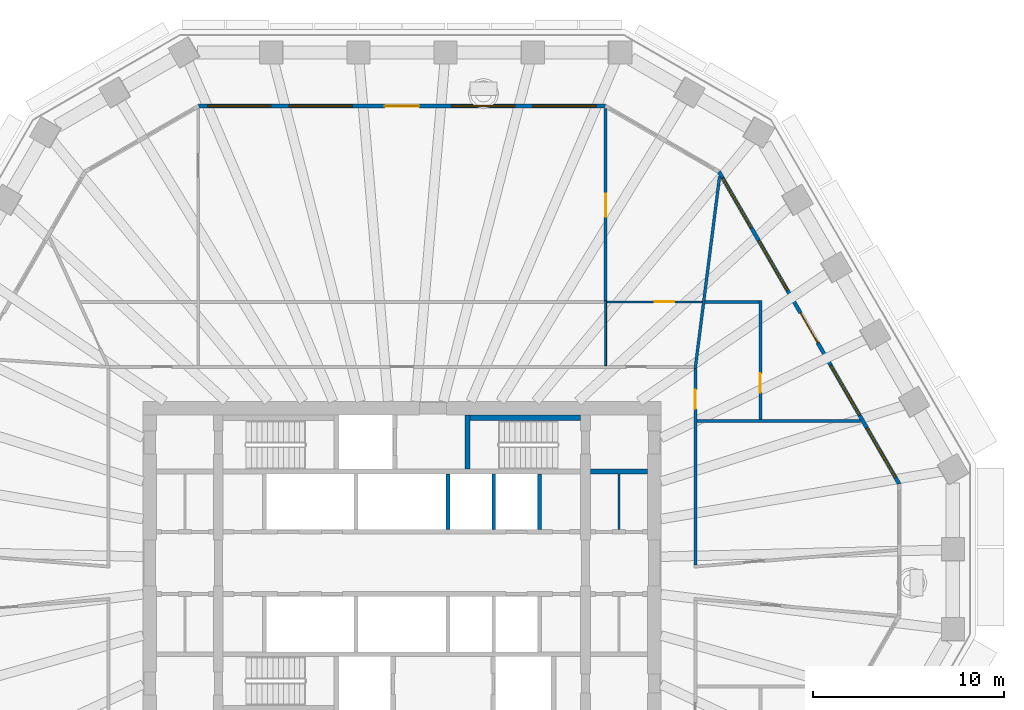
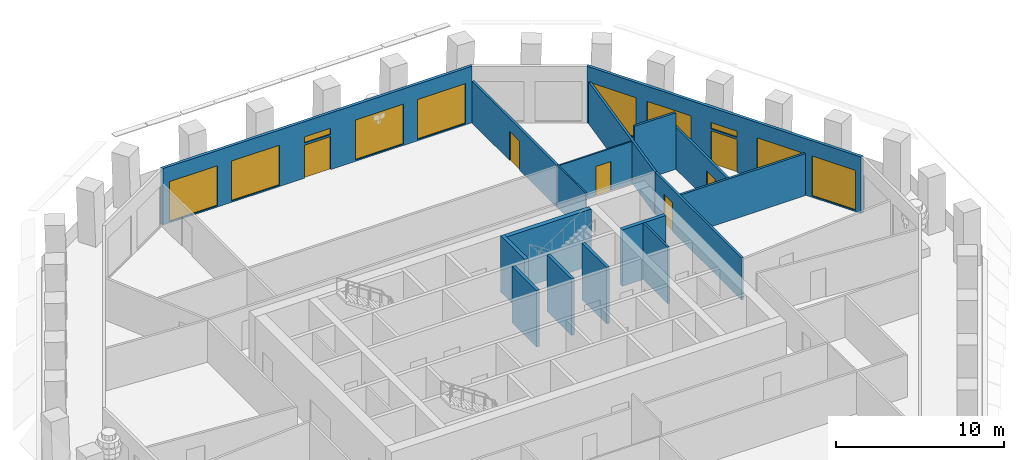
# One storey, part 8 of 13: 17 walls, 10 windows, 6 doors, 16 openings.
"""IFC4 building model written with IfcOpenShell, lengths in metres."""

import ifcopenshell
import ifcopenshell.guid

model = None  # the IFC model being written
_history = None  # IfcOwnerHistory: only IFC2X3 demands one
_inside = {}  # id of a spatial element -> (the spatial element, [elements in it])
_under = {}  # id of a project, library or spatial element -> (it, [spatial elements below it])
_declared = {}  # id of a project -> (the project, [libraries it declares])
_typed = {}  # id of a type object -> (the type object, [elements of that type])
_made_of = {}  # id of a material, layer set ... -> (it, [elements and type objects made of it])


def new_model(schema):
    """Start an empty IFC model of exactly this schema.

    Asked for "IFC4X3", IfcOpenShell would pick the latest addendum, in which some entities
    have other attributes; the version numbers below select the first issue.
    IFC2X3 requires an IfcOwnerHistory on every rooted entity: one is made here for all.
    """
    global model, _history
    if schema == "IFC4X3":
        model = ifcopenshell.file(schema_version=(4, 3, 0, 0))
    else:
        model = ifcopenshell.file(schema=schema)
    _inside.clear()
    _under.clear()
    _declared.clear()
    _typed.clear()
    _made_of.clear()
    _history = None
    if model.schema == "IFC2X3":
        org = make("IfcOrganization", Name="unknown")
        user = make(
            "IfcPersonAndOrganization",
            ThePerson=make("IfcPerson", FamilyName="unknown"),
            TheOrganization=org,
        )
        app = make(
            "IfcApplication",
            ApplicationDeveloper=org,
            Version="unknown",
            ApplicationFullName="unknown",
            ApplicationIdentifier="unknown",
        )
        _history = make(
            "IfcOwnerHistory",
            OwningUser=user,
            OwningApplication=app,
            ChangeAction="ADDED",
            CreationDate=0,
        )
    return model


def make(cls, **values):
    """One entity of the class cls with the attributes given. An attribute that is None is left unset."""
    return model.create_entity(
        cls, **{name: value for name, value in values.items() if value is not None}
    )


def rooted(cls, **values):
    """An entity with a GlobalId (a new one), such as an element, a storey or a relation."""
    return make(cls, GlobalId=ifcopenshell.guid.new(), OwnerHistory=_history, **values)


def si_unit(unit_type, name, prefix=None):
    """IfcSIUnit, for example si_unit("LENGTHUNIT", "METRE", prefix="MILLI")."""
    return make("IfcSIUnit", UnitType=unit_type, Prefix=prefix, Name=name)


def assignment(units):
    """IfcUnitAssignment: the units of a project."""
    return None if units is None else make("IfcUnitAssignment", Units=units)


def point(xyz):
    """IfcCartesianPoint."""
    return None if xyz is None else make("IfcCartesianPoint", Coordinates=xyz)


def direction(xyz):
    """IfcDirection."""
    return None if xyz is None else make("IfcDirection", DirectionRatios=xyz)


def frame(location, z_axis=None, x_axis=None):
    """IfcAxis2Placement3D, a coordinate frame: its origin and axes. An axis left out is left unset."""
    return make(
        "IfcAxis2Placement3D",
        Location=point(location),
        Axis=direction(z_axis),
        RefDirection=direction(x_axis),
    )


def frame_2d(location, x_axis=None):
    """IfcAxis2Placement2D, a coordinate frame in the plane: its origin and x axis."""
    return make(
        "IfcAxis2Placement2D", Location=point(location), RefDirection=direction(x_axis)
    )


def origin():
    """The frame at (0, 0, 0) with its axes left unset."""
    return frame((0.0, 0.0, 0.0))


def place(relative_to, where):
    """IfcLocalPlacement: puts the frame where relative to a parent placement (None: the world)."""
    return make(
        "IfcLocalPlacement", PlacementRelTo=relative_to, RelativePlacement=where
    )


def context(
    kind, dimensions, precision=None, world=None, true_north=None, identifier=None
):
    """IfcGeometricRepresentationContext, for example the 3D "Model" context."""
    return make(
        "IfcGeometricRepresentationContext",
        ContextIdentifier=identifier,
        ContextType=kind,
        CoordinateSpaceDimension=dimensions,
        Precision=precision,
        WorldCoordinateSystem=world,
        TrueNorth=true_north,
    )


def subcontext(parent, identifier, kind, view, scale=None):
    """IfcGeometricRepresentationSubContext, for example "Body" below "Model"."""
    return make(
        "IfcGeometricRepresentationSubContext",
        ContextIdentifier=identifier,
        ContextType=kind,
        ParentContext=parent,
        TargetScale=scale,
        TargetView=view,
    )


def project(units=None, contexts=None):
    """IfcProject with its units and contexts."""
    return rooted(
        "IfcProject",
        Name="project",
        RepresentationContexts=contexts,
        UnitsInContext=assignment(units),
    )


def spatial(cls, under=None, at=None, **own):
    """A site, building, storey or space (cls), placed at a placement, below another one or the project."""
    s = rooted(cls, ObjectPlacement=at, **own)
    if under is not None:
        _under.setdefault(under.id(), (under, []))[1].append(s)
    return s


def polyline(points):
    """IfcPolyline through the points."""
    return make("IfcPolyline", Points=[point(p) for p in points])


def profile(cls, at=None, kind="AREA", **sizes):
    """A parametric profile (cls). Its sizes go by their IFC names, for example OverallWidth=200.0."""
    return make(cls, ProfileType=kind, Position=at, **sizes)


def rectangle(**sizes):
    """IfcRectangleProfileDef."""
    return profile("IfcRectangleProfileDef", **sizes)


def outline(outer, holes=None, kind="AREA"):
    """IfcArbitraryClosedProfileDef: a profile drawn as a closed curve; with holes, ...WithVoids."""
    if holes is None:
        return make("IfcArbitraryClosedProfileDef", ProfileType=kind, OuterCurve=outer)
    return make(
        "IfcArbitraryProfileDefWithVoids",
        ProfileType=kind,
        OuterCurve=outer,
        InnerCurves=holes,
    )


def extrude(swept, where, along, depth):
    """IfcExtrudedAreaSolid: the profile swept, set in the frame where, extruded along a direction by depth."""
    return make(
        "IfcExtrudedAreaSolid",
        SweptArea=swept,
        Position=where,
        ExtrudedDirection=direction(along),
        Depth=depth,
    )


def shape(context_of_items, identifier, shape_type, items):
    """IfcShapeRepresentation: the items that make up one representation, for example the "Body"."""
    return make(
        "IfcShapeRepresentation",
        ContextOfItems=context_of_items,
        RepresentationIdentifier=identifier,
        RepresentationType=shape_type,
        Items=items,
    )


def material(Name=None, Category=None):
    """IfcMaterial."""
    return make("IfcMaterial", Name=Name, Category=Category)


def layer(
    of_material, thickness, ventilated=None, Name=None, Category=None, Priority=None
):
    """IfcMaterialLayer: one layer of a wall or slab, of a material (None: an air gap)."""
    return make(
        "IfcMaterialLayer",
        Material=of_material,
        LayerThickness=thickness,
        IsVentilated=ventilated,
        Name=Name,
        Category=Category,
        Priority=Priority,
    )


def layer_set(layers, Name=None):
    """IfcMaterialLayerSet."""
    return make("IfcMaterialLayerSet", MaterialLayers=layers, LayerSetName=Name)


def made_of(thing, what):
    """Note that an element or type object is made of a material, layer set ...; save() writes the relation."""
    if what is not None:
        _made_of.setdefault(what.id(), (what, []))[1].append(thing)
    return thing


def type_object(cls, material=None, **own):
    """A type object (cls), such as IfcWallType, which elements share."""
    return made_of(rooted(cls, **own), material)


def element(
    cls,
    number,
    at=None,
    inside=None,
    cuts=None,
    type_object=None,
    material=None,
    context=None,
    identifier="Body",
    shape_type=None,
    held_by="IfcProductDefinitionShape",
    body=None,
    shapes=None,
    **own,
):
    """One element of the class cls, such as IfcWall. Its Tag is "e" and its number.

    at: its placement. inside: the storey or other place that contains it. cuts: it is an
    opening in that element (IfcRelVoidsElement). A single representation is given by context,
    identifier, shape_type and body (its items); several are given by shapes. held_by: the class
    of the entity that holds the representations. save() writes the other relations.
    """
    e = rooted(cls, Tag="e%d" % number, ObjectPlacement=at, **own)
    if body is not None:
        shapes = [shape(context, identifier, shape_type, body)]
    if shapes is not None:
        e.Representation = make(held_by, Representations=shapes)
    if inside is not None:
        _inside.setdefault(inside.id(), (inside, []))[1].append(e)
    if cuts is not None:
        rooted(
            "IfcRelVoidsElement", RelatingBuildingElement=cuts, RelatedOpeningElement=e
        )
    if type_object is not None:
        _typed.setdefault(type_object.id(), (type_object, []))[1].append(e)
    return made_of(e, material)


def fill(opening, filler):
    """IfcRelFillsElement: the door or window that sits in an opening."""
    return rooted(
        "IfcRelFillsElement",
        RelatingOpeningElement=opening,
        RelatedBuildingElement=filler,
    )


def aggregate(whole, parts):
    """IfcRelAggregates: a whole, such as a stair, and the parts it consists of."""
    return rooted("IfcRelAggregates", RelatingObject=whole, RelatedObjects=parts)


def save(model, path):
    """Write the relations noted so far, then the file.

    IfcRelAggregates (storeys below a building ...), IfcRelContainedInSpatialStructure (elements
    in a storey), IfcRelDefinesByType, IfcRelAssociatesMaterial and IfcRelDeclares: one each for
    every whole, place, type object, material and project.
    """
    for whole, parts in _under.values():
        aggregate(whole, parts)
    for where, things in _inside.values():
        rooted(
            "IfcRelContainedInSpatialStructure",
            RelatedElements=things,
            RelatingStructure=where,
        )
    for kind, things in _typed.values():
        rooted("IfcRelDefinesByType", RelatedObjects=things, RelatingType=kind)
    for what, things in _made_of.values():
        rooted("IfcRelAssociatesMaterial", RelatedObjects=things, RelatingMaterial=what)
    for by, libraries in _declared.values():
        rooted("IfcRelDeclares", RelatingContext=by, RelatedDefinitions=libraries)
    model.write(path)


model = new_model("IFC4")

# Units and contexts
model_context = context("Model", 3, precision=1e-05, world=origin(), true_north=direction((0.0, 1.0)))
body_context = subcontext(model_context, "Body", "Model", "MODEL_VIEW")
ifc_project = project(units=[si_unit("LENGTHUNIT", "METRE"), si_unit("AREAUNIT", "SQUARE_METRE"), si_unit("VOLUMEUNIT", "CUBIC_METRE"), si_unit("PLANEANGLEUNIT", "RADIAN"), si_unit("MASSUNIT", "GRAM", prefix="KILO")], contexts=[model_context])

# Site, building, storey
site_placement = place(None, origin())
site = spatial("IfcSite", under=ifc_project, at=site_placement, CompositionType="ELEMENT")
building_placement = place(site_placement, origin())
building = spatial("IfcBuilding", under=site, at=building_placement, Name="Frailejon Research Tower", CompositionType="ELEMENT")
storey_placement = place(building_placement, frame((0.0, 0.0, 167.199951171875)))
storey = spatial("IfcBuildingStorey", under=building, at=storey_placement, Name="L36", CompositionType="ELEMENT", Elevation=167.199951171875)

# Wall
ifc_material_1 = material(Name="Plasterboard on steel studs", Category="steel")
ifc_layer_1 = layer(ifc_material_1, 0.125)
ifc_layer_set_1 = layer_set([ifc_layer_1], Name="Core partition 125")
wall_type_1 = type_object("IfcWallType", Name="Core partition 125", PredefinedType="PARTITIONING", material=ifc_layer_set_1)
wall_1_placement = place(storey_placement, frame((11.35009765625, 1.75, 0.0), z_axis=(0.0, 0.0, 1.0), x_axis=(0.0, 1.0, 0.0)))
element("IfcWall", 1, at=wall_1_placement, inside=storey, type_object=wall_type_1, Name="Core partition", PredefinedType="PARTITIONING", context=body_context, shape_type="SweptSolid", body=[
    extrude(rectangle(XDim=2.89990234375, YDim=0.125, at=frame_2d((1.449951171875, 0.0))), origin(), (0.0, 0.0, 1.0), 4.10009765625),
])

# Wall, opening, door
ifc_material_2 = material(Name="Gypsum board and masonry partition", Category="masonry")
ifc_layer_2 = layer(ifc_material_2, 0.14990234375)
ifc_layer_set_2 = layer_set([ifc_layer_2], Name="Corridor wall EI 60, gypsum on steel studs 150")
wall_type_2 = type_object("IfcWallType", Name="Corridor wall EI 60, gypsum on steel studs 150", PredefinedType="PARTITIONING", material=ifc_layer_set_2)
wall_2_placement = place(storey_placement, frame((15.35009765625, -0.11572265625, 0.0), z_axis=(0.0, 0.0, 1.0), x_axis=(0.0, 1.0, 0.0)))
wall_2 = element("IfcWall", 2, at=wall_2_placement, inside=storey, type_object=wall_type_2, Name="T:IW:L36:002", PredefinedType="PARTITIONING", context=body_context, shape_type="SweptSolid", body=[
    extrude(rectangle(XDim=10.290771484375, YDim=0.14990234375, at=frame_2d((5.1455078125, 0.0))), origin(), (0.0, 0.0, 1.0), 3.050048828125),
])
opening_1_placement = place(wall_2_placement, frame((8.1767578125, 0.0, 0.0)))
opening_1 = element("IfcOpeningElement", 3, at=opening_1_placement, cuts=wall_2, Name="Opening D1781", PredefinedType="OPENING", context=body_context, shape_type="SweptSolid", body=[
    extrude(rectangle(XDim=1.0, YDim=2.10009765625, at=frame_2d((0.5, 1.050048828125))), frame((0.0, 0.0849609375, 0.0), z_axis=(0.0, -1.0, 0.0), x_axis=(1.0, 0.0, 0.0)), (0.0, 0.0, 1.0), 0.169921875),
])
ifc_material_3 = material(Name="Timber door leaf", Category="wood")
door_type_1 = type_object("IfcDoorType", Name="Door laboratory, timber, vision panel 1000", OperationType="NOTDEFINED", PredefinedType="DOOR", material=ifc_material_3)
door_1_placement = place(opening_1_placement, origin())
door_1 = element("IfcDoor", 4, at=door_1_placement, inside=storey, type_object=door_type_1, Name="D1781", OperationType="SINGLE_SWING_LEFT", OverallHeight=2.10009765625, OverallWidth=1.0, PredefinedType="DOOR", context=body_context, shape_type="SweptSolid", body=[
    extrude(rectangle(XDim=1.0, YDim=2.10009765625, at=frame_2d((0.5, 1.050048828125))), frame((0.0, 0.02490234375, 0.0), z_axis=(0.0, -1.0, 0.0), x_axis=(1.0, 0.0, 0.0)), (0.0, 0.0, 1.0), 0.050048828125),
])
fill(opening_1, door_1)

# Walls
ifc_material_4 = material(Name="Gypsum board and masonry partition", Category="masonry")
ifc_layer_3 = layer(ifc_material_4, 0.14990234375)
ifc_layer_set_3 = layer_set([ifc_layer_3], Name="Laboratory partition, blockwork 150")
wall_type_3 = type_object("IfcWallType", Name="Laboratory partition, blockwork 150", PredefinedType="PARTITIONING", material=ifc_layer_set_3)
wall_3_placement = place(storey_placement, frame((15.425048828125, 7.431640625, 0.0), z_axis=(0.0, 0.0, 1.0), x_axis=(1.0, 0.0, 0.0)))
element("IfcWall", 5, at=wall_3_placement, inside=storey, type_object=wall_type_3, Name="T:IW:L36:011", PredefinedType="PARTITIONING", context=body_context, shape_type="SweptSolid", body=[
    extrude(rectangle(XDim=8.564453125, YDim=0.14990234375, at=frame_2d((4.2822265625, 0.0))), origin(), (0.0, 0.0, 1.0), 3.050048828125),
])
wall_4_placement = place(storey_placement, frame((15.856201171875, 13.64990234375, 0.0), z_axis=(0.0, 0.0, 1.0), x_axis=(1.0, 0.0, 0.0)))
element("IfcWall", 6, at=wall_4_placement, inside=storey, type_object=wall_type_3, Name="T:IW:L36:013", PredefinedType="PARTITIONING", context=body_context, shape_type="SweptSolid", body=[
    extrude(rectangle(XDim=2.81884765625, YDim=0.14990234375, at=frame_2d((1.409423828125, 0.0))), origin(), (0.0, 0.0, 1.0), 4.10009765625),
])

# Wall, opening, door
wall_5_placement = place(storey_placement, frame((18.75, 7.506591796875, 0.0), z_axis=(0.0, 0.0, 1.0), x_axis=(0.0, 1.0, 0.0)))
wall_5 = element("IfcWall", 7, at=wall_5_placement, inside=storey, type_object=wall_type_3, Name="T:IW:L36:015", PredefinedType="PARTITIONING", context=body_context, shape_type="SweptSolid", body=[
    extrude(rectangle(XDim=6.218505859375, YDim=0.14990234375, at=frame_2d((3.109375, 0.0))), origin(), (0.0, 0.0, 1.0), 3.050048828125),
])
opening_2_placement = place(wall_5_placement, frame((1.404541015625, 0.0, 0.0)))
opening_2 = element("IfcOpeningElement", 8, at=opening_2_placement, cuts=wall_5, Name="Opening D1782", PredefinedType="OPENING", context=body_context, shape_type="SweptSolid", body=[
    extrude(rectangle(XDim=1.0, YDim=2.10009765625, at=frame_2d((0.5, 1.050048828125))), frame((0.0, 0.0849609375, 0.0), z_axis=(0.0, -1.0, 0.0), x_axis=(1.0, 0.0, 0.0)), (0.0, 0.0, 1.0), 0.169921875),
])
door_2_placement = place(opening_2_placement, origin())
door_2 = element("IfcDoor", 9, at=door_2_placement, inside=storey, type_object=door_type_1, Name="D1782", OperationType="SINGLE_SWING_RIGHT", OverallHeight=2.10009765625, OverallWidth=1.0, PredefinedType="DOOR", context=body_context, shape_type="SweptSolid", body=[
    extrude(rectangle(XDim=1.0, YDim=2.10009765625, at=frame_2d((0.5, 1.050048828125))), frame((0.0, 0.02490234375, 0.0), z_axis=(0.0, -1.0, 0.0), x_axis=(1.0, 0.0, 0.0)), (0.0, 0.0, 1.0), 0.050048828125),
])
fill(opening_2, door_2)

# Wall
wall_6_placement = place(storey_placement, frame((15.340576171875, 10.175537109375, 0.0), z_axis=(0.0, 0.0, 1.0), x_axis=(0.125826213288, 0.99205229905, 0.0)))
element("IfcWall", 10, at=wall_6_placement, inside=storey, type_object=wall_type_3, Name="T:IW:L36:016", PredefinedType="PARTITIONING", context=body_context, shape_type="SweptSolid", body=[
    extrude(rectangle(XDim=10.11279296875, YDim=0.14990234375, at=frame_2d((5.056396484375, 0.0))), origin(), (0.0, 0.0, 1.0), 3.050048828125),
])

# Wall, opening, door
wall_7_placement = place(storey_placement, frame((10.65478515625, 13.699951171875, 0.0), z_axis=(0.0, 0.0, 1.0), x_axis=(0.0, 1.0, 0.0)))
wall_7 = element("IfcWall", 11, at=wall_7_placement, inside=storey, type_object=wall_type_3, Name="T:IW:L36:017", PredefinedType="PARTITIONING", context=body_context, shape_type="SweptSolid", body=[
    extrude(rectangle(XDim=10.069091796875, YDim=0.14990234375, at=frame_2d((5.03466796875, 0.0))), origin(), (0.0, 0.0, 1.0), 3.050048828125),
])
opening_3_placement = place(wall_7_placement, frame((4.409423828125, 0.0, 0.0)))
opening_3 = element("IfcOpeningElement", 12, at=opening_3_placement, cuts=wall_7, Name="Opening D1785", PredefinedType="OPENING", context=body_context, shape_type="SweptSolid", body=[
    extrude(rectangle(XDim=1.199951171875, YDim=2.10009765625, at=frame_2d((0.60009765625, 1.050048828125))), frame((0.0, 0.0849609375, 0.0), z_axis=(0.0, -1.0, 0.0), x_axis=(1.0, 0.0, 0.0)), (0.0, 0.0, 1.0), 0.169921875),
])
ifc_material_5 = material(Name="Timber door leaf", Category="wood")
door_type_2 = type_object("IfcDoorType", Name="Door laboratory, timber, vision panel 1200", OperationType="NOTDEFINED", PredefinedType="DOOR", material=ifc_material_5)
door_3_placement = place(opening_3_placement, origin())
door_3 = element("IfcDoor", 13, at=door_3_placement, inside=storey, type_object=door_type_2, Name="D1785", OperationType="DOUBLE_DOOR_SINGLE_SWING", OverallHeight=2.10009765625, OverallWidth=1.199951171875, PredefinedType="DOOR", context=body_context, shape_type="SweptSolid", body=[
    extrude(rectangle(XDim=1.199951171875, YDim=2.10009765625, at=frame_2d((0.60009765625, 1.050048828125))), frame((0.0, 0.02490234375, 0.0), z_axis=(0.0, -1.0, 0.0), x_axis=(1.0, 0.0, 0.0)), (0.0, 0.0, 1.0), 0.050048828125),
])
fill(opening_3, door_3)

ifc_material_6 = material(Name="Gypsum board and masonry partition", Category="masonry")
ifc_layer_4 = layer(ifc_material_6, 0.10009765625)
ifc_layer_set_4 = layer_set([ifc_layer_4], Name="Partition, gypsum on steel studs 100")
wall_type_4 = type_object("IfcWallType", Name="Partition, gypsum on steel studs 100", PredefinedType="PARTITIONING", material=ifc_layer_set_4)
wall_8_placement = place(storey_placement, frame((10.70458984375, 13.64990234375, 0.0), z_axis=(0.0, 0.0, 1.0), x_axis=(1.0, 0.0, 0.0)))
wall_8 = element("IfcWall", 14, at=wall_8_placement, inside=storey, type_object=wall_type_4, Name="T:IW:L36:030", PredefinedType="PARTITIONING", context=body_context, shape_type="SweptSolid", body=[
    extrude(rectangle(XDim=5.001708984375, YDim=0.10009765625, at=frame_2d((2.5009765625, 0.0))), origin(), (0.0, 0.0, 1.0), 3.050048828125),
])
opening_4_placement = place(wall_8_placement, frame((2.52734375, 0.0, 0.0)))
opening_4 = element("IfcOpeningElement", 15, at=opening_4_placement, cuts=wall_8, Name="Opening D1784", PredefinedType="OPENING", context=body_context, shape_type="SweptSolid", body=[
    extrude(rectangle(XDim=1.0, YDim=2.10009765625, at=frame_2d((0.5, 1.050048828125))), frame((0.0, 0.06005859375, 0.0), z_axis=(0.0, -1.0, 0.0), x_axis=(1.0, 0.0, 0.0)), (0.0, 0.0, 1.0), 0.1201171875),
])
ifc_material_7 = material(Name="Timber door leaf", Category="wood")
door_type_3 = type_object("IfcDoorType", Name="Door single leaf, timber, steel frame 1000", OperationType="NOTDEFINED", PredefinedType="DOOR", material=ifc_material_7)
door_4_placement = place(opening_4_placement, origin())
door_4 = element("IfcDoor", 16, at=door_4_placement, inside=storey, type_object=door_type_3, Name="D1784", OperationType="SINGLE_SWING_LEFT", OverallHeight=2.10009765625, OverallWidth=1.0, PredefinedType="DOOR", context=body_context, shape_type="SweptSolid", body=[
    extrude(rectangle(XDim=1.0, YDim=2.10009765625, at=frame_2d((0.5, 1.050048828125))), frame((0.0, 0.02490234375, 0.0), z_axis=(0.0, -1.0, 0.0), x_axis=(1.0, 0.0, 0.0)), (0.0, 0.0, 1.0), 0.050048828125),
])
fill(opening_4, door_4)

# Walls
wall_9_placement = place(storey_placement, frame((10.65478515625, 10.324951171875, 0.0), z_axis=(0.0, 0.0, 1.0), x_axis=(0.0, 1.0, 0.0)))
element("IfcWall", 17, at=wall_9_placement, inside=storey, type_object=wall_type_4, Name="T:IW:L36:031", PredefinedType="PARTITIONING", context=body_context, shape_type="SweptSolid", body=[
    extrude(rectangle(XDim=3.400146484375, YDim=0.10009765625, at=frame_2d((1.7001953125, 0.0))), origin(), (0.0, 0.0, 1.0), 3.050048828125),
])
ifc_material_8 = material(Name="Concrete C60/75", Category="concrete")
ifc_layer_5 = layer(ifc_material_8, 0.199951171875)
ifc_layer_set_5 = layer_set([ifc_layer_5], Name="Shaft wall 200 C60/75")
wall_type_5 = type_object("IfcWallType", Name="Shaft wall 200 C60/75", PredefinedType="SOLIDWALL", material=ifc_layer_set_5)
for number, where, z_axis, x_axis, name in (
    (18, (2.39990234375, 1.75, 0.0), (0.0, 0.0, 1.0), (0.0, 1.0, 0.0), "Shaft wall"),
    (19, (4.800048828125, 1.75, 0.0), (0.0, 0.0, 1.0), (0.0, 1.0, 0.0), "Shaft wall"),
    (20, (7.199951171875, 1.75, 0.0), (0.0, 0.0, 1.0), (0.0, 1.0, 0.0), "Shaft wall"),
):
    element("IfcWall", number, at=place(storey_placement, frame(where, z_axis=z_axis, x_axis=x_axis)), inside=storey, type_object=wall_type_5, Name=name, PredefinedType="SOLIDWALL", context=body_context, shape_type="SweptSolid", body=[
        extrude(rectangle(XDim=2.89990234375, YDim=0.199951171875, at=frame_2d((1.449951171875, 0.0))), origin(), (0.0, 0.0, 1.0), 4.10009765625),
    ])
ifc_material_9 = material(Name="Concrete C60/75", Category="concrete")
ifc_layer_6 = layer(ifc_material_9, 0.25)
ifc_layer_set_6 = layer_set([ifc_layer_6], Name="Shaft wall 250 C60/75")
wall_type_6 = type_object("IfcWallType", Name="Shaft wall 250 C60/75", PredefinedType="SOLIDWALL", material=ifc_layer_set_6)
wall_10_placement = place(storey_placement, frame((9.85009765625, 4.77490234375, 0.0), z_axis=(0.0, 0.0, 1.0), x_axis=(1.0, 0.0, 0.0)))
element("IfcWall", 21, at=wall_10_placement, inside=storey, type_object=wall_type_6, Name="Shaft wall", PredefinedType="SOLIDWALL", context=body_context, shape_type="SweptSolid", body=[
    extrude(rectangle(XDim=3.0, YDim=0.25, at=frame_2d((1.5, 0.0))), origin(), (0.0, 0.0, 1.0), 4.10009765625),
])
wall_11_placement = place(storey_placement, frame((3.425048828125, 4.89990234375, 0.0), z_axis=(0.0, 0.0, 1.0), x_axis=(0.0, 1.0, 0.0)))
element("IfcWall", 22, at=wall_11_placement, inside=storey, type_object=wall_type_6, Name="Shaft wall", PredefinedType="SOLIDWALL", context=body_context, shape_type="SweptSolid", body=[
    extrude(rectangle(XDim=2.85009765625, YDim=0.25, at=frame_2d((1.425048828125, 0.0))), origin(), (0.0, 0.0, 1.0), 4.10009765625),
])
ifc_material_10 = material(Name="Concrete C60/75", Category="concrete")
ifc_layer_7 = layer(ifc_material_10, 0.300048828125)
ifc_layer_set_7 = layer_set([ifc_layer_7], Name="Shaft wall 300 C60/75")
wall_type_7 = type_object("IfcWallType", Name="Shaft wall 300 C60/75", PredefinedType="SOLIDWALL", material=ifc_layer_set_7)
wall_12_placement = place(storey_placement, frame((3.550048828125, 7.60009765625, 0.0), z_axis=(0.0, 0.0, 1.0), x_axis=(1.0, 0.0, 0.0)))
element("IfcWall", 23, at=wall_12_placement, inside=storey, type_object=wall_type_7, Name="Shaft wall", PredefinedType="SOLIDWALL", context=body_context, shape_type="SweptSolid", body=[
    extrude(rectangle(XDim=5.800048828125, YDim=0.300048828125, at=frame_2d((2.89990234375, 0.0))), origin(), (0.0, 0.0, 1.0), 4.10009765625),
])

# Wall, openings, door, windows
ifc_material_11 = material(Name="Concrete C40/50 precast window wall panel", Category="concrete")
ifc_layer_8 = layer(ifc_material_11, 0.199951171875)
ifc_layer_set_8 = layer_set([ifc_layer_8], Name="Window wall 200")
wall_type_8 = type_object("IfcWallType", Name="Window wall 200", PredefinedType="SOLIDWALL", material=ifc_layer_set_8)
wall_13_placement = place(storey_placement, frame((26.011962890625, 4.128662109375, 0.0), z_axis=(0.0, 0.0, 1.0), x_axis=(-0.499999588275, 0.866025641494, 0.0)))
wall_13 = element("IfcWall", 24, at=wall_13_placement, inside=storey, type_object=wall_type_8, Name="Exterior wall L36", PredefinedType="SOLIDWALL", context=body_context, shape_type="SweptSolid", body=[
    extrude(outline(polyline([(-0.02685546875, -0.10009765625), (1.02392578125, -0.10009765625), (2.07470703125, -0.10009765625), (3.12548828125, -0.10009765625), (4.17626953125, -0.10009765625), (5.227294921875, -0.10009765625), (6.278076171875, -0.10009765625), (7.328857421875, -0.10009765625), (8.379638671875, -0.10009765625), (9.430419921875, -0.10009765625), (10.481201171875, -0.10009765625), (11.531982421875, -0.10009765625), (12.582763671875, -0.10009765625), (13.633544921875, -0.10009765625), (14.6845703125, -0.10009765625), (15.7353515625, -0.10009765625), (16.7861328125, -0.10009765625), (17.8369140625, -0.10009765625), (18.8876953125, -0.10009765625), (18.833984375, 0.10009765625), (17.7890625, 0.10009765625), (16.744384765625, 0.10009765625), (15.699462890625, 0.10009765625), (14.654541015625, 0.10009765625), (13.60986328125, 0.10009765625), (12.56494140625, 0.10009765625), (11.52001953125, 0.10009765625), (10.475341796875, 0.10009765625), (9.430419921875, 0.10009765625), (8.385498046875, 0.10009765625), (7.3408203125, 0.10009765625), (6.2958984375, 0.10009765625), (5.2509765625, 0.10009765625), (4.206298828125, 0.10009765625), (3.161376953125, 0.10009765625), (2.116455078125, 0.10009765625), (1.07177734375, 0.10009765625), (0.02685546875, 0.10009765625), (-0.02685546875, -0.10009765625)])), origin(), (0.0, 0.0, 1.0), 4.10009765625),
])
opening_5_placement = place(wall_13_placement, frame((0.385986328125, 0.0, 0.10009765625)))
opening_5 = element("IfcOpeningElement", 25, at=opening_5_placement, cuts=wall_13, Name="Opening W4", PredefinedType="OPENING", context=body_context, shape_type="SweptSolid", body=[
    extrude(rectangle(XDim=3.0, YDim=2.89990234375, at=frame_2d((1.5, 1.449951171875))), frame((0.0, 0.10986328125, 0.0), z_axis=(0.0, -1.0, 0.0), x_axis=(1.0, 0.0, 0.0)), (0.0, 0.0, 1.0), 0.219970703125),
])
opening_6_placement = place(wall_13_placement, frame((4.158203125, 0.0, 0.10009765625)))
opening_6 = element("IfcOpeningElement", 26, at=opening_6_placement, cuts=wall_13, Name="Opening W4", PredefinedType="OPENING", context=body_context, shape_type="SweptSolid", body=[
    extrude(rectangle(XDim=3.0, YDim=2.89990234375, at=frame_2d((1.5, 1.449951171875))), frame((0.0, 0.10986328125, 0.0), z_axis=(0.0, -1.0, 0.0), x_axis=(1.0, 0.0, 0.0)), (0.0, 0.0, 1.0), 0.219970703125),
])
opening_7_placement = place(wall_13_placement, frame((8.530517578125, 0.0, 0.0)))
opening_7 = element("IfcOpeningElement", 27, at=opening_7_placement, cuts=wall_13, Name="Opening LG36-1", PredefinedType="OPENING", context=body_context, shape_type="SweptSolid", body=[
    extrude(rectangle(XDim=1.800048828125, YDim=2.39990234375, at=frame_2d((0.89990234375, 1.199951171875))), frame((0.0, 0.10986328125, 0.0), z_axis=(0.0, -1.0, 0.0), x_axis=(1.0, 0.0, 0.0)), (0.0, 0.0, 1.0), 0.219970703125),
])
opening_8_placement = place(wall_13_placement, frame((8.530517578125, 0.0, 2.550048828125)))
opening_8 = element("IfcOpeningElement", 28, at=opening_8_placement, cuts=wall_13, Name="Opening W1", PredefinedType="OPENING", context=body_context, shape_type="SweptSolid", body=[
    extrude(rectangle(XDim=1.800048828125, YDim=0.449951171875, at=frame_2d((0.89990234375, 0.22509765625))), frame((0.0, 0.10986328125, 0.0), z_axis=(0.0, -1.0, 0.0), x_axis=(1.0, 0.0, 0.0)), (0.0, 0.0, 1.0), 0.219970703125),
])
opening_9_placement = place(wall_13_placement, frame((11.70263671875, 0.0, 0.10009765625)))
opening_9 = element("IfcOpeningElement", 29, at=opening_9_placement, cuts=wall_13, Name="Opening W4", PredefinedType="OPENING", context=body_context, shape_type="SweptSolid", body=[
    extrude(rectangle(XDim=3.0, YDim=2.89990234375, at=frame_2d((1.5, 1.449951171875))), frame((0.0, 0.10986328125, 0.0), z_axis=(0.0, -1.0, 0.0), x_axis=(1.0, 0.0, 0.0)), (0.0, 0.0, 1.0), 0.219970703125),
])
opening_10_placement = place(wall_13_placement, frame((15.474853515625, 0.0, 0.10009765625)))
opening_10 = element("IfcOpeningElement", 30, at=opening_10_placement, cuts=wall_13, Name="Opening W4", PredefinedType="OPENING", context=body_context, shape_type="SweptSolid", body=[
    extrude(rectangle(XDim=3.0, YDim=2.89990234375, at=frame_2d((1.5, 1.449951171875))), frame((0.0, 0.10986328125, 0.0), z_axis=(0.0, -1.0, 0.0), x_axis=(1.0, 0.0, 0.0)), (0.0, 0.0, 1.0), 0.219970703125),
])
ifc_material_12 = material(Name="Aluminium framed glazed door leaf", Category="aluminium")
door_type_4 = type_object("IfcDoorType", Name="Loggia door 1800x2400", OperationType="DOUBLE_DOOR_SINGLE_SWING", PredefinedType="DOOR", material=ifc_material_12)
door_5_placement = place(opening_7_placement, origin())
door_5 = element("IfcDoor", 31, at=door_5_placement, inside=storey, type_object=door_type_4, Name="Door LG36-1", OperationType="DOUBLE_DOOR_SINGLE_SWING", OverallHeight=2.39990234375, OverallWidth=1.800048828125, PredefinedType="DOOR", context=body_context, shape_type="SweptSolid", body=[
    extrude(rectangle(XDim=1.800048828125, YDim=2.39990234375, at=frame_2d((0.89990234375, 1.199951171875))), frame((0.0, 0.02490234375, 0.0), z_axis=(0.0, -1.0, 0.0), x_axis=(1.0, 0.0, 0.0)), (0.0, 0.0, 1.0), 0.050048828125),
])
fill(opening_7, door_5)
ifc_material_13 = material(Name="Aluminium framed double glazing", Category="aluminium")
window_type_1 = type_object("IfcWindowType", Name="Window 1800x450", PartitioningType="SINGLE_PANEL", PredefinedType="WINDOW", material=ifc_material_13)
window_1_placement = place(opening_8_placement, origin())
window_1 = element("IfcWindow", 32, at=window_1_placement, inside=storey, type_object=window_type_1, Name="Window L36", OverallHeight=0.449951171875, OverallWidth=1.800048828125, PartitioningType="SINGLE_PANEL", PredefinedType="WINDOW", context=body_context, shape_type="SweptSolid", body=[
    extrude(rectangle(XDim=1.800048828125, YDim=0.449951171875, at=frame_2d((0.89990234375, 0.22509765625))), frame((0.0, 0.030029296875, 0.0), z_axis=(0.0, -1.0, 0.0), x_axis=(1.0, 0.0, 0.0)), (0.0, 0.0, 1.0), 0.06005859375),
])
fill(opening_8, window_1)
ifc_material_14 = material(Name="Aluminium framed double glazing", Category="aluminium")
window_type_2 = type_object("IfcWindowType", Name="Window 3000x2900", PartitioningType="SINGLE_PANEL", PredefinedType="WINDOW", material=ifc_material_14)
window_2_placement = place(opening_5_placement, origin())
window_2 = element("IfcWindow", 33, at=window_2_placement, inside=storey, type_object=window_type_2, Name="Window L36", OverallHeight=2.89990234375, OverallWidth=3.0, PartitioningType="SINGLE_PANEL", PredefinedType="WINDOW", context=body_context, shape_type="SweptSolid", body=[
    extrude(rectangle(XDim=3.0, YDim=2.89990234375, at=frame_2d((1.5, 1.449951171875))), frame((0.0, 0.030029296875, 0.0), z_axis=(0.0, -1.0, 0.0), x_axis=(1.0, 0.0, 0.0)), (0.0, 0.0, 1.0), 0.06005859375),
])
fill(opening_5, window_2)
window_3_placement = place(opening_6_placement, origin())
window_3 = element("IfcWindow", 34, at=window_3_placement, inside=storey, type_object=window_type_2, Name="Window L36", OverallHeight=2.89990234375, OverallWidth=3.0, PartitioningType="SINGLE_PANEL", PredefinedType="WINDOW", context=body_context, shape_type="SweptSolid", body=[
    extrude(rectangle(XDim=3.0, YDim=2.89990234375, at=frame_2d((1.5, 1.449951171875))), frame((0.0, 0.030029296875, 0.0), z_axis=(0.0, -1.0, 0.0), x_axis=(1.0, 0.0, 0.0)), (0.0, 0.0, 1.0), 0.06005859375),
])
fill(opening_6, window_3)
window_4_placement = place(opening_9_placement, origin())
window_4 = element("IfcWindow", 35, at=window_4_placement, inside=storey, type_object=window_type_2, Name="Window L36", OverallHeight=2.89990234375, OverallWidth=3.0, PartitioningType="SINGLE_PANEL", PredefinedType="WINDOW", context=body_context, shape_type="SweptSolid", body=[
    extrude(rectangle(XDim=3.0, YDim=2.89990234375, at=frame_2d((1.5, 1.449951171875))), frame((0.0, 0.030029296875, 0.0), z_axis=(0.0, -1.0, 0.0), x_axis=(1.0, 0.0, 0.0)), (0.0, 0.0, 1.0), 0.06005859375),
])
fill(opening_9, window_4)
window_5_placement = place(opening_10_placement, origin())
window_5 = element("IfcWindow", 36, at=window_5_placement, inside=storey, type_object=window_type_2, Name="Window L36", OverallHeight=2.89990234375, OverallWidth=3.0, PartitioningType="SINGLE_PANEL", PredefinedType="WINDOW", context=body_context, shape_type="SweptSolid", body=[
    extrude(rectangle(XDim=3.0, YDim=2.89990234375, at=frame_2d((1.5, 1.449951171875))), frame((0.0, 0.030029296875, 0.0), z_axis=(0.0, -1.0, 0.0), x_axis=(1.0, 0.0, 0.0)), (0.0, 0.0, 1.0), 0.06005859375),
])
fill(opening_10, window_5)

wall_14_placement = place(storey_placement, frame((10.6279296875, 23.89990234375, 0.0), z_axis=(0.0, 0.0, 1.0), x_axis=(-1.0, 0.0, 0.0)))
wall_14 = element("IfcWall", 37, at=wall_14_placement, inside=storey, type_object=wall_type_8, Name="Exterior wall L36", PredefinedType="SOLIDWALL", context=body_context, shape_type="SweptSolid", body=[
    extrude(outline(polyline([(-0.02685546875, -0.10009765625), (0.98779296875, -0.10009765625), (2.002685546875, -0.10009765625), (3.017333984375, -0.10009765625), (4.0322265625, -0.10009765625), (5.046875, -0.10009765625), (6.0615234375, -0.10009765625), (7.076416015625, -0.10009765625), (8.091064453125, -0.10009765625), (9.105712890625, -0.10009765625), (10.12060546875, -0.10009765625), (11.13525390625, -0.10009765625), (12.150146484375, -0.10009765625), (13.164794921875, -0.10009765625), (14.179443359375, -0.10009765625), (15.1943359375, -0.10009765625), (16.208984375, -0.10009765625), (17.2236328125, -0.10009765625), (18.238525390625, -0.10009765625), (19.253173828125, -0.10009765625), (20.26806640625, -0.10009765625), (21.28271484375, -0.10009765625), (21.22900390625, 0.10009765625), (20.219482421875, 0.10009765625), (19.209716796875, 0.10009765625), (18.2001953125, 0.10009765625), (17.1904296875, 0.10009765625), (16.180908203125, 0.10009765625), (15.171142578125, 0.10009765625), (14.16162109375, 0.10009765625), (13.152099609375, 0.10009765625), (12.142333984375, 0.10009765625), (11.1328125, 0.10009765625), (10.123046875, 0.10009765625), (9.113525390625, 0.10009765625), (8.103759765625, 0.10009765625), (7.09423828125, 0.10009765625), (6.084716796875, 0.10009765625), (5.074951171875, 0.10009765625), (4.0654296875, 0.10009765625), (3.0556640625, 0.10009765625), (2.046142578125, 0.10009765625), (1.036376953125, 0.10009765625), (0.02685546875, 0.10009765625), (-0.02685546875, -0.10009765625)])), origin(), (0.0, 0.0, 1.0), 4.10009765625),
])
opening_11_placement = place(wall_14_placement, frame((0.4755859375, 0.0, 0.10009765625)))
opening_11 = element("IfcOpeningElement", 38, at=opening_11_placement, cuts=wall_14, Name="Opening W5", PredefinedType="OPENING", context=body_context, shape_type="SweptSolid", body=[
    extrude(rectangle(XDim=3.300048828125, YDim=2.89990234375, at=frame_2d((1.64990234375, 1.449951171875))), frame((0.0, 0.10986328125, 0.0), z_axis=(0.0, -1.0, 0.0), x_axis=(1.0, 0.0, 0.0)), (0.0, 0.0, 1.0), 0.219970703125),
])
opening_12_placement = place(wall_14_placement, frame((4.726806640625, 0.0, 0.10009765625)))
opening_12 = element("IfcOpeningElement", 39, at=opening_12_placement, cuts=wall_14, Name="Opening W5", PredefinedType="OPENING", context=body_context, shape_type="SweptSolid", body=[
    extrude(rectangle(XDim=3.300048828125, YDim=2.89990234375, at=frame_2d((1.64990234375, 1.449951171875))), frame((0.0, 0.10986328125, 0.0), z_axis=(0.0, -1.0, 0.0), x_axis=(1.0, 0.0, 0.0)), (0.0, 0.0, 1.0), 0.219970703125),
])
opening_13_placement = place(wall_14_placement, frame((9.727783203125, 0.0, 0.0)))
opening_13 = element("IfcOpeningElement", 40, at=opening_13_placement, cuts=wall_14, Name="Opening LG36-2", PredefinedType="OPENING", context=body_context, shape_type="SweptSolid", body=[
    extrude(rectangle(XDim=1.800048828125, YDim=2.39990234375, at=frame_2d((0.89990234375, 1.199951171875))), frame((0.0, 0.10986328125, 0.0), z_axis=(0.0, -1.0, 0.0), x_axis=(1.0, 0.0, 0.0)), (0.0, 0.0, 1.0), 0.219970703125),
])
opening_14_placement = place(wall_14_placement, frame((9.727783203125, 0.0, 2.550048828125)))
opening_14 = element("IfcOpeningElement", 41, at=opening_14_placement, cuts=wall_14, Name="Opening W1", PredefinedType="OPENING", context=body_context, shape_type="SweptSolid", body=[
    extrude(rectangle(XDim=1.800048828125, YDim=0.449951171875, at=frame_2d((0.89990234375, 0.22509765625))), frame((0.0, 0.10986328125, 0.0), z_axis=(0.0, -1.0, 0.0), x_axis=(1.0, 0.0, 0.0)), (0.0, 0.0, 1.0), 0.219970703125),
])
opening_15_placement = place(wall_14_placement, frame((13.22900390625, 0.0, 0.10009765625)))
opening_15 = element("IfcOpeningElement", 42, at=opening_15_placement, cuts=wall_14, Name="Opening W5", PredefinedType="OPENING", context=body_context, shape_type="SweptSolid", body=[
    extrude(rectangle(XDim=3.300048828125, YDim=2.89990234375, at=frame_2d((1.64990234375, 1.449951171875))), frame((0.0, 0.10986328125, 0.0), z_axis=(0.0, -1.0, 0.0), x_axis=(1.0, 0.0, 0.0)), (0.0, 0.0, 1.0), 0.219970703125),
])
opening_16_placement = place(wall_14_placement, frame((17.480224609375, 0.0, 0.10009765625)))
opening_16 = element("IfcOpeningElement", 43, at=opening_16_placement, cuts=wall_14, Name="Opening W5", PredefinedType="OPENING", context=body_context, shape_type="SweptSolid", body=[
    extrude(rectangle(XDim=3.300048828125, YDim=2.89990234375, at=frame_2d((1.64990234375, 1.449951171875))), frame((0.0, 0.10986328125, 0.0), z_axis=(0.0, -1.0, 0.0), x_axis=(1.0, 0.0, 0.0)), (0.0, 0.0, 1.0), 0.219970703125),
])
door_6_placement = place(opening_13_placement, origin())
door_6 = element("IfcDoor", 44, at=door_6_placement, inside=storey, type_object=door_type_4, Name="Door LG36-2", OperationType="DOUBLE_DOOR_SINGLE_SWING", OverallHeight=2.39990234375, OverallWidth=1.800048828125, PredefinedType="DOOR", context=body_context, shape_type="SweptSolid", body=[
    extrude(rectangle(XDim=1.800048828125, YDim=2.39990234375, at=frame_2d((0.89990234375, 1.199951171875))), frame((0.0, 0.02490234375, 0.0), z_axis=(0.0, -1.0, 0.0), x_axis=(1.0, 0.0, 0.0)), (0.0, 0.0, 1.0), 0.050048828125),
])
fill(opening_13, door_6)
window_6_placement = place(opening_14_placement, origin())
window_6 = element("IfcWindow", 45, at=window_6_placement, inside=storey, type_object=window_type_1, Name="Window L36", OverallHeight=0.449951171875, OverallWidth=1.800048828125, PartitioningType="SINGLE_PANEL", PredefinedType="WINDOW", context=body_context, shape_type="SweptSolid", body=[
    extrude(rectangle(XDim=1.800048828125, YDim=0.449951171875, at=frame_2d((0.89990234375, 0.22509765625))), frame((0.0, 0.030029296875, 0.0), z_axis=(0.0, -1.0, 0.0), x_axis=(1.0, 0.0, 0.0)), (0.0, 0.0, 1.0), 0.06005859375),
])
fill(opening_14, window_6)
ifc_material_15 = material(Name="Aluminium framed double glazing", Category="aluminium")
window_type_3 = type_object("IfcWindowType", Name="Window 3300x2900", PartitioningType="SINGLE_PANEL", PredefinedType="WINDOW", material=ifc_material_15)
window_7_placement = place(opening_11_placement, origin())
window_7 = element("IfcWindow", 46, at=window_7_placement, inside=storey, type_object=window_type_3, Name="Window L36", OverallHeight=2.89990234375, OverallWidth=3.300048828125, PartitioningType="SINGLE_PANEL", PredefinedType="WINDOW", context=body_context, shape_type="SweptSolid", body=[
    extrude(rectangle(XDim=3.300048828125, YDim=2.89990234375, at=frame_2d((1.64990234375, 1.449951171875))), frame((0.0, 0.030029296875, 0.0), z_axis=(0.0, -1.0, 0.0), x_axis=(1.0, 0.0, 0.0)), (0.0, 0.0, 1.0), 0.06005859375),
])
fill(opening_11, window_7)
window_8_placement = place(opening_12_placement, origin())
window_8 = element("IfcWindow", 47, at=window_8_placement, inside=storey, type_object=window_type_3, Name="Window L36", OverallHeight=2.89990234375, OverallWidth=3.300048828125, PartitioningType="SINGLE_PANEL", PredefinedType="WINDOW", context=body_context, shape_type="SweptSolid", body=[
    extrude(rectangle(XDim=3.300048828125, YDim=2.89990234375, at=frame_2d((1.64990234375, 1.449951171875))), frame((0.0, 0.030029296875, 0.0), z_axis=(0.0, -1.0, 0.0), x_axis=(1.0, 0.0, 0.0)), (0.0, 0.0, 1.0), 0.06005859375),
])
fill(opening_12, window_8)
window_9_placement = place(opening_15_placement, origin())
window_9 = element("IfcWindow", 48, at=window_9_placement, inside=storey, type_object=window_type_3, Name="Window L36", OverallHeight=2.89990234375, OverallWidth=3.300048828125, PartitioningType="SINGLE_PANEL", PredefinedType="WINDOW", context=body_context, shape_type="SweptSolid", body=[
    extrude(rectangle(XDim=3.300048828125, YDim=2.89990234375, at=frame_2d((1.64990234375, 1.449951171875))), frame((0.0, 0.030029296875, 0.0), z_axis=(0.0, -1.0, 0.0), x_axis=(1.0, 0.0, 0.0)), (0.0, 0.0, 1.0), 0.06005859375),
])
fill(opening_15, window_9)
window_10_placement = place(opening_16_placement, origin())
window_10 = element("IfcWindow", 49, at=window_10_placement, inside=storey, type_object=window_type_3, Name="Window L36", OverallHeight=2.89990234375, OverallWidth=3.300048828125, PartitioningType="SINGLE_PANEL", PredefinedType="WINDOW", context=body_context, shape_type="SweptSolid", body=[
    extrude(rectangle(XDim=3.300048828125, YDim=2.89990234375, at=frame_2d((1.64990234375, 1.449951171875))), frame((0.0, 0.030029296875, 0.0), z_axis=(0.0, -1.0, 0.0), x_axis=(1.0, 0.0, 0.0)), (0.0, 0.0, 1.0), 0.06005859375),
])
fill(opening_16, window_10)

save(model, "model.ifc")
